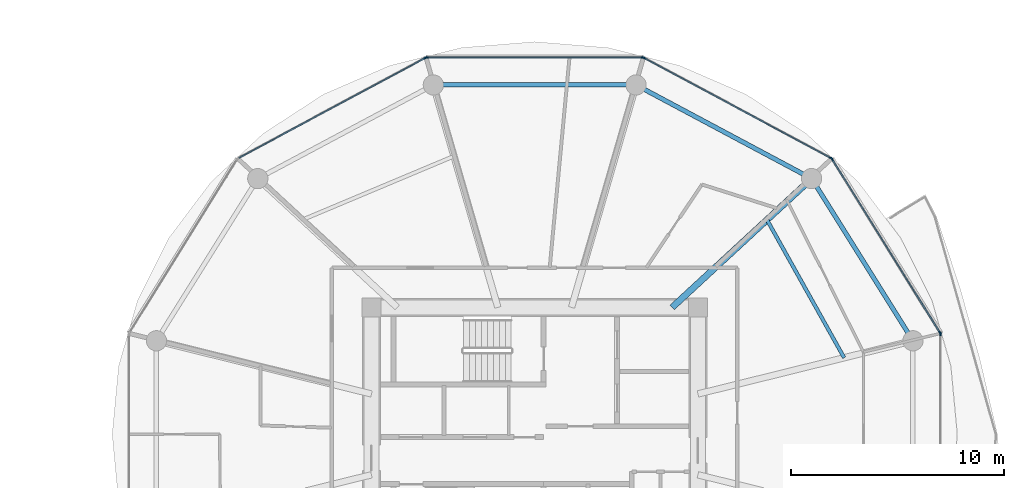
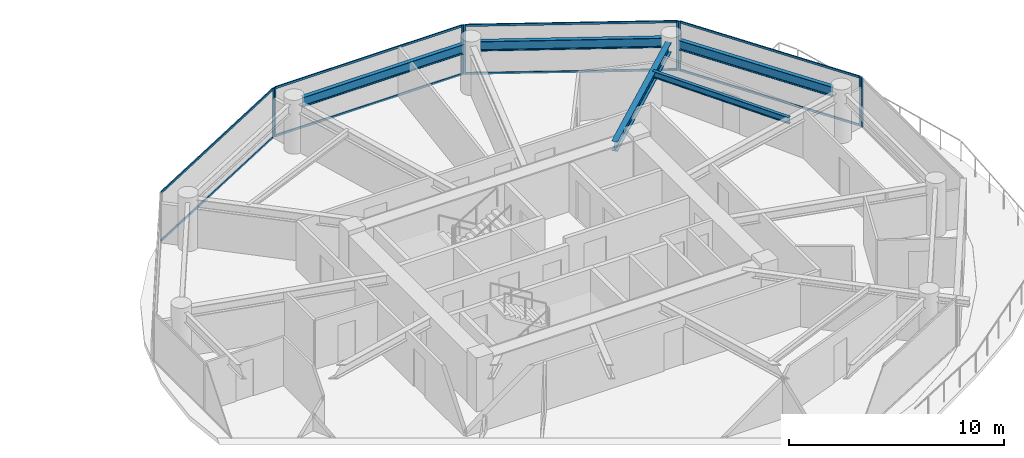
# One storey, part 13 of 27: 16 members, 5 beams, 5 elements without a shape of their own.
"""IFC4 building model written with IfcOpenShell, lengths in metres."""

from ifc_helpers import new_model, si_unit, direction, frame, origin, origin_2d, place, context, subcontext, project, spatial, rectangle, i_section, extrude, source, transform, mapped, material, layer, layer_set, material_profile, profile_set, type_object, type_shapes, element, aggregate, save


model = new_model("IFC4")

# Units and contexts
model_context = context("Model", 3, precision=1e-05, world=origin(), true_north=direction((0.0, 1.0)))
body_context = subcontext(model_context, "Body", "Model", "MODEL_VIEW")
ifc_project = project(units=[si_unit("LENGTHUNIT", "METRE"), si_unit("AREAUNIT", "SQUARE_METRE"), si_unit("VOLUMEUNIT", "CUBIC_METRE"), si_unit("PLANEANGLEUNIT", "RADIAN"), si_unit("MASSUNIT", "GRAM", prefix="KILO")], contexts=[model_context])

# Site, building, storey
site_placement = place(None, origin())
site = spatial("IfcSite", under=ifc_project, at=site_placement, CompositionType="ELEMENT")
building_placement = place(site_placement, origin())
building = spatial("IfcBuilding", under=site, at=building_placement, Name="Norrkilde Senior Care Towers", CompositionType="ELEMENT")
storey_placement = place(building_placement, frame((0.0, 0.0, 30.75)))
storey = spatial("IfcBuildingStorey", under=building, at=storey_placement, Name="L08", CompositionType="ELEMENT", Elevation=30.75)

# Beams
ifc_material_1 = material(Name="Steel S355", Category="steel")
ifc_material_profile_1 = material_profile(ifc_material_1, i_section(OverallWidth=0.2099609375, OverallDepth=0.550048828125, WebThickness=0.010986328125, FlangeThickness=0.01708984375, FilletRadius=0.02392578125, at=origin_2d()), Name="IPE 550")
ifc_profile_set_1 = profile_set([ifc_material_profile_1], Name="Steel S355")
beam_type_1 = type_object("IfcBeamType", Name="Perimeter Ring Spandrel Z1 IPE550", PredefinedType="SPANDREL", material=ifc_profile_set_1)
shared_shape_1 = source(origin(), body_context, "Body", "SweptSolid", [
    extrude(i_section(OverallWidth=0.2099609375, OverallDepth=0.550048828125, WebThickness=0.010986328125, FlangeThickness=0.01708984375, FilletRadius=0.02392578125, at=origin_2d()), origin(), (0.0, 0.0, 1.0), 8.090576171875),
])
beam_1_placement = place(storey_placement, frame((45.494140625, 4.755859375, 2.514892578125), z_axis=(-0.530004364821, 0.84799491347, 0.0), x_axis=(-0.84799491347, -0.530004364821, 0.0)))
element("IfcBeam", 1, at=beam_1_placement, inside=storey, type_object=beam_type_1, Name="L08 Drum E Perimeter Spandrel 01", PredefinedType="SPANDREL", context=body_context, shape_type="MappedRepresentation", body=[
    mapped(shared_shape_1, transform((0.0, 0.0, 0.0), x_axis=(1.0, 0.0, 0.0), y_axis=(0.0, 1.0, 0.0), z_axis=(0.0, 0.0, 1.0), scale=1.0)),
])
shared_shape_2 = source(origin(), body_context, "Body", "SweptSolid", [
    extrude(i_section(OverallWidth=0.2099609375, OverallDepth=0.550048828125, WebThickness=0.010986328125, FlangeThickness=0.01708984375, FilletRadius=0.02392578125, at=origin_2d()), origin(), (0.0, 0.0, 1.0), 8.452880859375),
])
beam_2_placement = place(storey_placement, frame((40.591552734375, 12.190185546875, 2.514892578125), z_axis=(-0.882368931134, 0.470558252898, 0.0), x_axis=(-0.470558252898, -0.882368931134, 0.0)))
element("IfcBeam", 2, at=beam_2_placement, inside=storey, type_object=beam_type_1, Name="L08 Drum E Perimeter Spandrel 02", PredefinedType="SPANDREL", context=body_context, shape_type="MappedRepresentation", body=[
    mapped(shared_shape_2, transform((0.0, 0.0, 0.0), x_axis=(1.0, 0.0, 0.0), y_axis=(0.0, 1.0, 0.0), z_axis=(0.0, 0.0, 1.0), scale=1.0)),
])
ifc_material_profile_2 = material_profile(ifc_material_1, i_section(OverallWidth=0.300048828125, OverallDepth=0.550048828125, WebThickness=0.014892578125, FlangeThickness=0.029052734375, FilletRadius=0.027099609375, at=origin_2d()), Name="HEB 550")
ifc_profile_set_2 = profile_set([ifc_material_profile_2], Name="Steel S355")
beam_type_2 = type_object("IfcBeamType", Name="Radial Floor Beam Z1 HEB550", PredefinedType="BEAM", material=ifc_profile_set_2)
shared_shape_3 = source(origin(), body_context, "Body", "SweptSolid", [
    extrude(i_section(OverallWidth=0.300048828125, OverallDepth=0.550048828125, WebThickness=0.014892578125, FlangeThickness=0.029052734375, FilletRadius=0.027099609375, at=origin_2d()), origin(), (0.0, 0.0, 1.0), 8.459716796875),
])
type_shapes(beam_type_2, [shared_shape_3])
beam_3_placement = place(storey_placement, frame((34.44140625, 5.949951171875, 2.514892578125), z_axis=(0.734573269108, 0.678529374686, 0.0), x_axis=(-0.678529374686, 0.734573269108, 0.0)))
element("IfcBeam", 3, at=beam_3_placement, inside=storey, type_object=beam_type_2, Name="L08 Drum E Radial Floor Beam 02", PredefinedType="BEAM", context=body_context, shape_type="MappedRepresentation", body=[
    mapped(shared_shape_3, transform((0.0, 0.0, 0.0), x_axis=(1.0, 0.0, 0.0), y_axis=(0.0, 1.0, 0.0), z_axis=(0.0, 0.0, 1.0), scale=1.0)),
])
shared_shape_4 = source(origin(), body_context, "Body", "SweptSolid", [
    extrude(i_section(OverallWidth=0.2099609375, OverallDepth=0.550048828125, WebThickness=0.010986328125, FlangeThickness=0.01708984375, FilletRadius=0.02392578125, at=origin_2d()), origin(), (0.0, 0.0, 1.0), 8.62841796875),
])
type_shapes(beam_type_1, [shared_shape_1, shared_shape_2, shared_shape_4])
beam_4_placement = place(storey_placement, frame((32.314208984375, 16.37255859375, 2.514892578125), z_axis=(-1.0, 0.0, 0.0), x_axis=(0.0, -1.0, 0.0)))
element("IfcBeam", 4, at=beam_4_placement, inside=storey, type_object=beam_type_1, Name="L08 Drum E Perimeter Spandrel 03", PredefinedType="SPANDREL", context=body_context, shape_type="MappedRepresentation", body=[
    mapped(shared_shape_4, transform((0.0, 0.0, 0.0), x_axis=(1.0, 0.0, 0.0), y_axis=(0.0, 1.0, 0.0), z_axis=(0.0, 0.0, 1.0), scale=1.0)),
])
ifc_material_profile_3 = material_profile(ifc_material_1, i_section(OverallWidth=0.169921875, OverallDepth=0.360107421875, WebThickness=0.008056640625, FlangeThickness=0.0126953125, FilletRadius=0.01806640625, at=origin_2d()), Name="IPE 360")
ifc_profile_set_3 = profile_set([ifc_material_profile_3], Name="Steel S355")
beam_type_3 = type_object("IfcBeamType", Name="Secondary Floor Joist IPE360", PredefinedType="JOIST", material=ifc_profile_set_3)
shared_shape_5 = source(origin(), body_context, "Body", "SweptSolid", [
    extrude(i_section(OverallWidth=0.169921875, OverallDepth=0.360107421875, WebThickness=0.008056640625, FlangeThickness=0.0126953125, FilletRadius=0.01806640625, at=origin_2d()), origin(), (0.0, 0.0, 1.0), 7.40771484375),
])
type_shapes(beam_type_3, [shared_shape_5])
beam_5_placement = place(storey_placement, frame((42.500732421875, 3.589111328125, 2.610107421875), z_axis=(-0.488167754092, 0.872749817453, 0.0), x_axis=(-0.872749817453, -0.488167754092, 0.0)))
element("IfcBeam", 5, at=beam_5_placement, inside=storey, type_object=beam_type_3, Name="L08 Drum E Secondary Floor Joist 1", PredefinedType="JOIST", context=body_context, shape_type="MappedRepresentation", body=[
    mapped(shared_shape_5, transform((0.0, 0.0, 0.0), x_axis=(1.0, 0.0, 0.0), y_axis=(0.0, 1.0, 0.0), z_axis=(0.0, 0.0, 1.0), scale=1.0)),
])

# Curtain wall, members
ifc_material_2 = material(Name="Triple Low-E Insulated Glazing", Category="glass")
ifc_layer = layer(ifc_material_2, 0.199951171875)
ifc_layer_set = layer_set([ifc_layer], Name="Triple Low-E Insulated Glazing")
curtain_wall_type = type_object("IfcCurtainWallType", Name="CW2 Zone 1 Memory Care Curtain Wall", PredefinedType="NOTDEFINED", material=ifc_layer_set)
curtain_wall_1_placement = place(storey_placement, origin())
curtain_wall_1 = element("IfcCurtainWall", 6, at=curtain_wall_1_placement, inside=storey, type_object=curtain_wall_type, Name="L08 Drum E Curtain Wall 00", PredefinedType="NOTDEFINED")
ifc_material_3 = material(Name="Anodised Aluminium", Category="aluminium")
ifc_material_profile_4 = material_profile(ifc_material_3, rectangle(XDim=0.06494140625, YDim=0.159912109375, at=origin_2d()), Name="ALU MULL 65x160")
ifc_profile_set_4 = profile_set([ifc_material_profile_4], Name="Anodised Aluminium")
member_type_1 = type_object("IfcMemberType", Name="Curtain Wall Mullion Z1-Z2 65x160", PredefinedType="MULLION", material=ifc_profile_set_4)
shared_shape_6 = source(origin(), body_context, "Body", "SweptSolid", [
    extrude(rectangle(XDim=0.06494140625, YDim=0.159912109375, at=origin_2d()), origin(), (0.0, 0.0, 1.0), 2.7900390625),
])
type_shapes(member_type_1, [shared_shape_6])
member_1_placement = place(storey_placement, frame((41.93310546875, 12.898193359375, 0.0), z_axis=(0.0, 0.0, 1.0), x_axis=(0.849305943117, 0.527900951871, 0.0)))
member_1 = element("IfcMember", 7, at=member_1_placement, type_object=member_type_1, Name="CW-2 mullion 1", PredefinedType="MULLION", context=body_context, shape_type="MappedRepresentation", body=[
    mapped(shared_shape_6, transform((0.0, 0.0, 0.0), x_axis=(1.0, 0.0, 0.0), y_axis=(0.0, 1.0, 0.0), z_axis=(0.0, 0.0, 1.0), scale=1.0)),
])
member_2_placement = place(storey_placement, frame((46.9921875, 4.7587890625, 0.0), z_axis=(0.0, 0.0, 1.0), x_axis=(0.849305943117, 0.527900951871, 0.0)))
member_2 = element("IfcMember", 8, at=member_2_placement, type_object=member_type_1, Name="CW-2 mullion 2", PredefinedType="MULLION", context=body_context, shape_type="MappedRepresentation", body=[
    mapped(shared_shape_6, transform((0.0, 0.0, 0.0), x_axis=(1.0, 0.0, 0.0), y_axis=(0.0, 1.0, 0.0), z_axis=(0.0, 0.0, 1.0), scale=1.0)),
])

curtain_wall_2_placement = place(storey_placement, origin())
curtain_wall_2 = element("IfcCurtainWall", 9, at=curtain_wall_2_placement, inside=storey, type_object=curtain_wall_type, Name="L08 Drum E Curtain Wall 01", PredefinedType="NOTDEFINED")
member_3_placement = place(storey_placement, frame((33.122314453125, 17.641845703125, 0.0), z_axis=(0.0, 0.0, 1.0), x_axis=(0.472607802456, 0.881272866403, 0.0)))
member_3 = element("IfcMember", 10, at=member_3_placement, type_object=member_type_1, Name="CW-2 mullion 1", PredefinedType="MULLION", context=body_context, shape_type="MappedRepresentation", body=[
    mapped(shared_shape_6, transform((0.0, 0.0, 0.0), x_axis=(1.0, 0.0, 0.0), y_axis=(0.0, 1.0, 0.0), z_axis=(0.0, 0.0, 1.0), scale=1.0)),
])
member_4_placement = place(storey_placement, frame((41.88720703125, 12.941162109375, 0.0), z_axis=(0.0, 0.0, 1.0), x_axis=(0.472607802456, 0.881272866403, 0.0)))
member_4 = element("IfcMember", 11, at=member_4_placement, type_object=member_type_1, Name="CW-2 mullion 2", PredefinedType="MULLION", context=body_context, shape_type="MappedRepresentation", body=[
    mapped(shared_shape_6, transform((0.0, 0.0, 0.0), x_axis=(1.0, 0.0, 0.0), y_axis=(0.0, 1.0, 0.0), z_axis=(0.0, 0.0, 1.0), scale=1.0)),
])

curtain_wall_3_placement = place(storey_placement, origin())
curtain_wall_3 = element("IfcCurtainWall", 12, at=curtain_wall_3_placement, inside=storey, type_object=curtain_wall_type, Name="L08 Drum E Curtain Wall 02", PredefinedType="NOTDEFINED")
member_5_placement = place(storey_placement, frame((22.93896484375, 17.6572265625, 0.0), z_axis=(0.0, 0.0, 1.0), x_axis=(0.0, 1.0, 0.0)))
member_5 = element("IfcMember", 13, at=member_5_placement, type_object=member_type_1, Name="CW-2 mullion 1", PredefinedType="MULLION", context=body_context, shape_type="MappedRepresentation", body=[
    mapped(shared_shape_6, transform((0.0, 0.0, 0.0), x_axis=(1.0, 0.0, 0.0), y_axis=(0.0, 1.0, 0.0), z_axis=(0.0, 0.0, 1.0), scale=1.0)),
])
member_6_placement = place(storey_placement, frame((33.06103515625, 17.6572265625, 0.0), z_axis=(0.0, 0.0, 1.0), x_axis=(0.0, 1.0, 0.0)))
member_6 = element("IfcMember", 14, at=member_6_placement, type_object=member_type_1, Name="CW-2 mullion 2", PredefinedType="MULLION", context=body_context, shape_type="MappedRepresentation", body=[
    mapped(shared_shape_6, transform((0.0, 0.0, 0.0), x_axis=(1.0, 0.0, 0.0), y_axis=(0.0, 1.0, 0.0), z_axis=(0.0, 0.0, 1.0), scale=1.0)),
])

# Curtain wall, member
curtain_wall_4_placement = place(storey_placement, origin())
curtain_wall_4 = element("IfcCurtainWall", 15, at=curtain_wall_4_placement, inside=storey, type_object=curtain_wall_type, Name="L08 Drum E Curtain Wall 03", PredefinedType="NOTDEFINED")
member_7_placement = place(storey_placement, frame((22.877685546875, 17.641845703125, 0.0), z_axis=(0.0, 0.0, 1.0), x_axis=(-0.472607802456, 0.881272866403, 0.0)))
member_7 = element("IfcMember", 16, at=member_7_placement, type_object=member_type_1, Name="CW-2 mullion 2", PredefinedType="MULLION", context=body_context, shape_type="MappedRepresentation", body=[
    mapped(shared_shape_6, transform((0.0, 0.0, 0.0), x_axis=(1.0, 0.0, 0.0), y_axis=(0.0, 1.0, 0.0), z_axis=(0.0, 0.0, 1.0), scale=1.0)),
])

curtain_wall_5_placement = place(storey_placement, origin())
curtain_wall_5 = element("IfcCurtainWall", 17, at=curtain_wall_5_placement, inside=storey, type_object=curtain_wall_type, Name="L08 Drum E Curtain Wall 11", PredefinedType="NOTDEFINED")
member_8_placement = place(storey_placement, frame((47.009521484375, 4.69873046875, 0.0), z_axis=(0.0, 0.0, 1.0), x_axis=(1.0, 0.0, 0.0)))
member_8 = element("IfcMember", 18, at=member_8_placement, type_object=member_type_1, Name="CW-2 mullion 1", PredefinedType="MULLION", context=body_context, shape_type="MappedRepresentation", body=[
    mapped(shared_shape_6, transform((0.0, 0.0, 0.0), x_axis=(1.0, 0.0, 0.0), y_axis=(0.0, 1.0, 0.0), z_axis=(0.0, 0.0, 1.0), scale=1.0)),
])
aggregate(curtain_wall_5, [member_8])

# Member
ifc_material_profile_5 = material_profile(ifc_material_3, rectangle(XDim=0.06005859375, YDim=0.1201171875, at=origin_2d()), Name="ALU TRAN 60x120")
ifc_profile_set_5 = profile_set([ifc_material_profile_5], Name="Anodised Aluminium")
member_type_2 = type_object("IfcMemberType", Name="Curtain Wall Transom Typical 60x120", PredefinedType="USERDEFINED", material=ifc_profile_set_5)
shared_shape_7 = source(origin(), body_context, "Body", "SweptSolid", [
    extrude(rectangle(XDim=0.06005859375, YDim=0.1201171875, at=origin_2d()), origin(), (0.0, 0.0, 1.0), 9.5185546875),
])
member_9_placement = place(storey_placement, frame((41.9501953125, 12.87060546875, 0.030029296875), z_axis=(0.527901620669, -0.849305527413, 0.0), x_axis=(0.849305527413, 0.527901620669, 0.0)))
member_9 = element("IfcMember", 19, at=member_9_placement, type_object=member_type_2, Name="CW-2 transom 1.1", ObjectType="TRANSOM", PredefinedType="USERDEFINED", context=body_context, shape_type="MappedRepresentation", body=[
    mapped(shared_shape_7, transform((0.0, 0.0, 0.0), x_axis=(1.0, 0.0, 0.0), y_axis=(0.0, 1.0, 0.0), z_axis=(0.0, 0.0, 1.0), scale=1.0)),
])

member_10_placement = place(storey_placement, frame((41.9501953125, 12.87060546875, 2.760009765625), z_axis=(0.527901620669, -0.849305527413, 0.0), x_axis=(0.849305527413, 0.527901620669, 0.0)))
member_10 = element("IfcMember", 20, at=member_10_placement, type_object=member_type_2, Name="CW-2 transom 1.2", ObjectType="TRANSOM", PredefinedType="USERDEFINED", context=body_context, shape_type="MappedRepresentation", body=[
    mapped(shared_shape_7, transform((0.0, 0.0, 0.0), x_axis=(1.0, 0.0, 0.0), y_axis=(0.0, 1.0, 0.0), z_axis=(0.0, 0.0, 1.0), scale=1.0)),
])

aggregate(curtain_wall_1, [member_1, member_2, member_9, member_10])

shared_shape_8 = source(origin(), body_context, "Body", "SweptSolid", [
    extrude(rectangle(XDim=0.06005859375, YDim=0.1201171875, at=origin_2d()), origin(), (0.0, 0.0, 1.0), 9.880859375),
])
member_11_placement = place(storey_placement, frame((33.15087890625, 17.62646484375, 0.030029296875), z_axis=(0.881267204043, -0.47261836092, 0.0), x_axis=(0.47261836092, 0.881267204043, 0.0)))
member_11 = element("IfcMember", 21, at=member_11_placement, type_object=member_type_2, Name="CW-2 transom 1.1", ObjectType="TRANSOM", PredefinedType="USERDEFINED", context=body_context, shape_type="MappedRepresentation", body=[
    mapped(shared_shape_8, transform((0.0, 0.0, 0.0), x_axis=(1.0, 0.0, 0.0), y_axis=(0.0, 1.0, 0.0), z_axis=(0.0, 0.0, 1.0), scale=1.0)),
])

member_12_placement = place(storey_placement, frame((33.15087890625, 17.62646484375, 2.760009765625), z_axis=(0.881267204043, -0.47261836092, 0.0), x_axis=(0.47261836092, 0.881267204043, 0.0)))
member_12 = element("IfcMember", 22, at=member_12_placement, type_object=member_type_2, Name="CW-2 transom 1.2", ObjectType="TRANSOM", PredefinedType="USERDEFINED", context=body_context, shape_type="MappedRepresentation", body=[
    mapped(shared_shape_8, transform((0.0, 0.0, 0.0), x_axis=(1.0, 0.0, 0.0), y_axis=(0.0, 1.0, 0.0), z_axis=(0.0, 0.0, 1.0), scale=1.0)),
])

aggregate(curtain_wall_2, [member_3, member_4, member_11, member_12])

member_13_placement = place(storey_placement, frame((14.141357421875, 12.95654296875, 0.030029296875), z_axis=(0.881267204043, 0.47261836092, 0.0), x_axis=(-0.47261836092, 0.881267204043, 0.0)))
member_13 = element("IfcMember", 23, at=member_13_placement, type_object=member_type_2, Name="CW-2 transom 1.1", ObjectType="TRANSOM", PredefinedType="USERDEFINED", context=body_context, shape_type="MappedRepresentation", body=[
    mapped(shared_shape_8, transform((0.0, 0.0, 0.0), x_axis=(1.0, 0.0, 0.0), y_axis=(0.0, 1.0, 0.0), z_axis=(0.0, 0.0, 1.0), scale=1.0)),
])

member_14_placement = place(storey_placement, frame((14.141357421875, 12.95654296875, 2.760009765625), z_axis=(0.881267204043, 0.47261836092, 0.0), x_axis=(-0.47261836092, 0.881267204043, 0.0)))
member_14 = element("IfcMember", 24, at=member_14_placement, type_object=member_type_2, Name="CW-2 transom 1.2", ObjectType="TRANSOM", PredefinedType="USERDEFINED", context=body_context, shape_type="MappedRepresentation", body=[
    mapped(shared_shape_8, transform((0.0, 0.0, 0.0), x_axis=(1.0, 0.0, 0.0), y_axis=(0.0, 1.0, 0.0), z_axis=(0.0, 0.0, 1.0), scale=1.0)),
])

aggregate(curtain_wall_4, [member_7, member_13, member_14])

shared_shape_9 = source(origin(), body_context, "Body", "SweptSolid", [
    extrude(rectangle(XDim=0.06005859375, YDim=0.1201171875, at=origin_2d()), origin(), (0.0, 0.0, 1.0), 10.05712890625),
])
type_shapes(member_type_2, [shared_shape_7, shared_shape_8, shared_shape_9])
member_15_placement = place(storey_placement, frame((22.971435546875, 17.6572265625, 0.030029296875), z_axis=(1.0, 0.0, 0.0), x_axis=(0.0, 1.0, 0.0)))
member_15 = element("IfcMember", 25, at=member_15_placement, type_object=member_type_2, Name="CW-2 transom 1.1", ObjectType="TRANSOM", PredefinedType="USERDEFINED", context=body_context, shape_type="MappedRepresentation", body=[
    mapped(shared_shape_9, transform((0.0, 0.0, 0.0), x_axis=(1.0, 0.0, 0.0), y_axis=(0.0, 1.0, 0.0), z_axis=(0.0, 0.0, 1.0), scale=1.0)),
])

member_16_placement = place(storey_placement, frame((22.971435546875, 17.6572265625, 2.760009765625), z_axis=(1.0, 0.0, 0.0), x_axis=(0.0, 1.0, 0.0)))
member_16 = element("IfcMember", 26, at=member_16_placement, type_object=member_type_2, Name="CW-2 transom 1.2", ObjectType="TRANSOM", PredefinedType="USERDEFINED", context=body_context, shape_type="MappedRepresentation", body=[
    mapped(shared_shape_9, transform((0.0, 0.0, 0.0), x_axis=(1.0, 0.0, 0.0), y_axis=(0.0, 1.0, 0.0), z_axis=(0.0, 0.0, 1.0), scale=1.0)),
])

aggregate(curtain_wall_3, [member_5, member_6, member_15, member_16])

save(model, "model.ifc")
